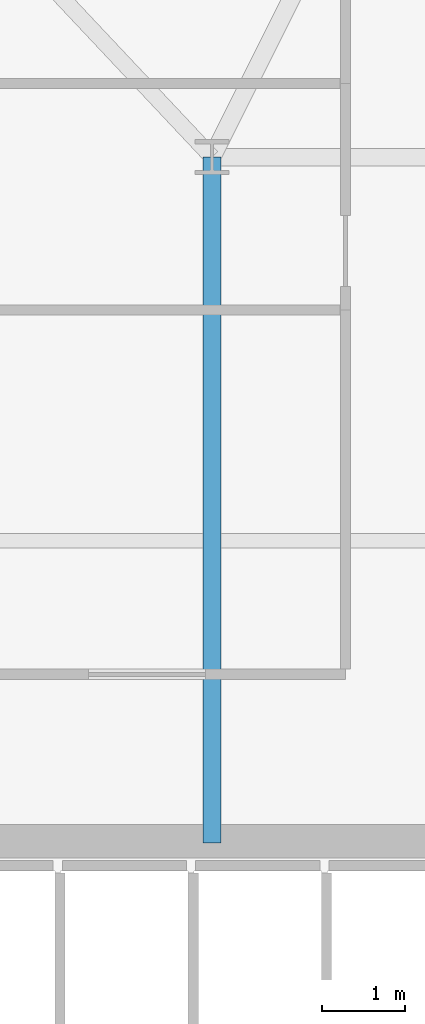
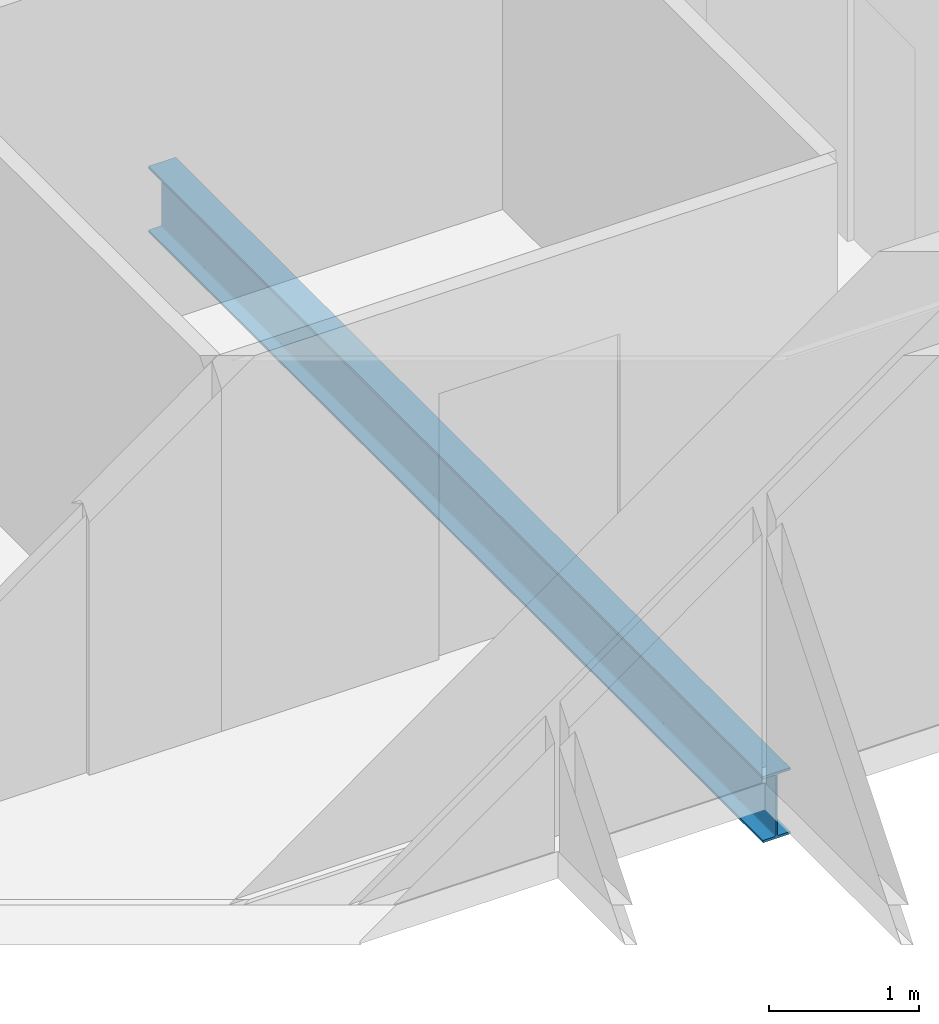
# One storey, part 6 of 35: 1 beam.
"""IFC4 building model written with IfcOpenShell, lengths in metres."""

from ifc_helpers import new_model, si_unit, direction, frame, origin, origin_2d, place, context, subcontext, project, spatial, i_section, extrude, material, material_profile, profile_set, type_object, element, save


model = new_model("IFC4")

# Units and contexts
model_context = context("Model", 3, precision=1e-05, world=origin(), true_north=direction((0.0, 1.0)))
body_context = subcontext(model_context, "Body", "Model", "MODEL_VIEW")
ifc_project = project(units=[si_unit("LENGTHUNIT", "METRE"), si_unit("AREAUNIT", "SQUARE_METRE"), si_unit("VOLUMEUNIT", "CUBIC_METRE"), si_unit("PLANEANGLEUNIT", "RADIAN"), si_unit("MASSUNIT", "GRAM", prefix="KILO")], contexts=[model_context])

# Site, building, storey
site_placement = place(None, origin())
site = spatial("IfcSite", under=ifc_project, at=site_placement, CompositionType="ELEMENT")
building_placement = place(site_placement, origin())
building = spatial("IfcBuilding", under=site, at=building_placement, Name="Ndaravel Arena Tower", CompositionType="ELEMENT")
storey_placement = place(building_placement, frame((0.0, 0.0, 180.199951171875)))
storey = spatial("IfcBuildingStorey", under=building, at=storey_placement, Name="L43", CompositionType="ELEMENT", Elevation=180.199951171875)

# Beam
ifc_material = material(Name="Steel S355", Category="steel")
ifc_material_profile = material_profile(ifc_material, i_section(OverallWidth=0.210693359375, OverallDepth=0.53955078125, WebThickness=0.01171875, FlangeThickness=0.018798828125, FilletRadius=0.0126953125, at=origin_2d()), Name="UB 533x210x109")
ifc_profile_set = profile_set([ifc_material_profile], Name="Steel S355")
beam_type = type_object("IfcBeamType", Name="BM-GIRD-UB533", PredefinedType="BEAM", material=ifc_profile_set)
beam_placement = place(storey_placement, frame((34.199951171875, 14.97998046875, -0.48974609375), z_axis=(0.0, 1.0, 0.0), x_axis=(-1.0, 0.0, 0.0)))
element("IfcBeam", 1, at=beam_placement, inside=storey, type_object=beam_type, Name="L43 Spine Link Girder SLG-01", PredefinedType="BEAM", context=body_context, shape_type="SweptSolid", body=[
    extrude(i_section(OverallWidth=0.210693359375, OverallDepth=0.53955078125, WebThickness=0.01171875, FlangeThickness=0.018798828125, FilletRadius=0.0126953125, at=origin_2d()), origin(), (0.0, 0.0, 1.0), 8.219970703125),
])

save(model, "model.ifc")
